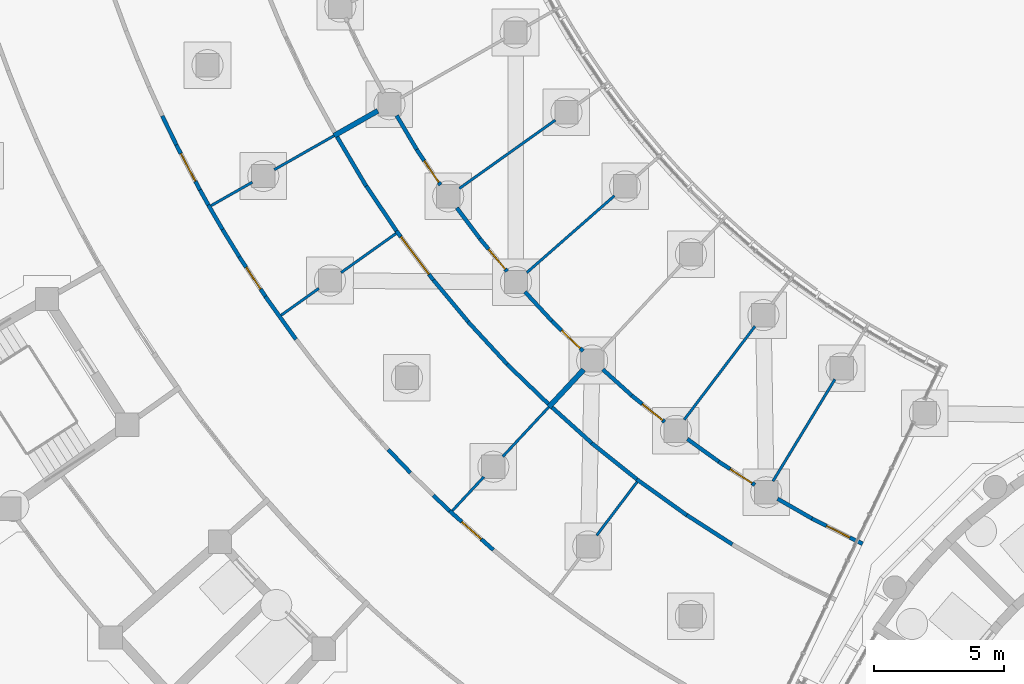
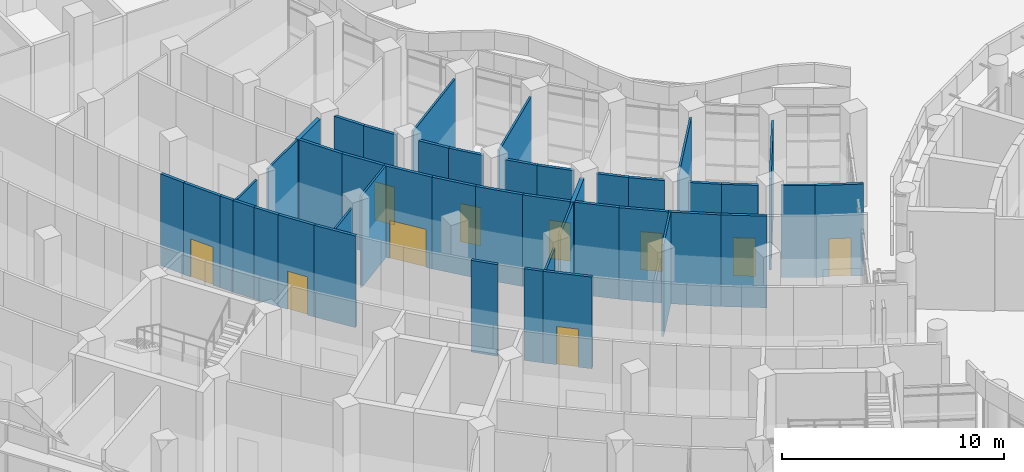
# One storey, part 67 of 146: 45 walls, 10 doors, 10 openings.
"""IFC4 building model written with IfcOpenShell, lengths in metres."""

from ifc_helpers import new_model, si_unit, direction, frame, frame_2d, origin, place, context, subcontext, project, spatial, rectangle, extrude, material, layer, layer_set, type_object, element, fill, save


model = new_model("IFC4")

# Units and contexts
model_context = context("Model", 3, precision=1e-05, world=origin(), true_north=direction((0.0, 1.0)))
body_context = subcontext(model_context, "Body", "Model", "MODEL_VIEW")
ifc_project = project(units=[si_unit("LENGTHUNIT", "METRE"), si_unit("AREAUNIT", "SQUARE_METRE"), si_unit("VOLUMEUNIT", "CUBIC_METRE"), si_unit("PLANEANGLEUNIT", "RADIAN"), si_unit("MASSUNIT", "GRAM", prefix="KILO")], contexts=[model_context])

# Site, building, storey
site_placement = place(None, origin())
site = spatial("IfcSite", under=ifc_project, at=site_placement, CompositionType="ELEMENT")
building_placement = place(site_placement, origin())
building = spatial("IfcBuilding", under=site, at=building_placement, Name="Bougainvillea Quay General Hospital", CompositionType="ELEMENT")
storey_placement = place(building_placement, origin())
storey = spatial("IfcBuildingStorey", under=building, at=storey_placement, Name="L00", CompositionType="ELEMENT", Elevation=0.0)

# Walls
ifc_material_1 = material(Name="Gypsum board partition on steel studs", Category="steel")
ifc_layer_1 = layer(ifc_material_1, 0.10009765625)
ifc_layer_set_1 = layer_set([ifc_layer_1], Name="Gypsum board partition on steel studs")
wall_type_1 = type_object("IfcWallType", Name="Partition 100 Gypsum board partition EI 30", PredefinedType="PARTITIONING", material=ifc_layer_set_1)
wall_1_placement = place(storey_placement, frame((84.418212890625, 93.260498046875, 0.0), z_axis=(0.0, 0.0, 1.0), x_axis=(0.603501117064, 0.797362152163, 0.0)))
element("IfcWall", 1, at=wall_1_placement, inside=storey, type_object=wall_type_1, Name="Partition 100 mm EI 30", PredefinedType="PARTITIONING", context=body_context, shape_type="SweptSolid", body=[
    extrude(rectangle(XDim=4.5224609375, YDim=0.10009765625, at=frame_2d((2.26123046875, 0.0))), origin(), (0.0, 0.0, 1.0), 5.050048828125),
])
wall_2_placement = place(storey_placement, frame((78.338134765625, 98.93310546875, 0.0), z_axis=(0.0, 0.0, 1.0), x_axis=(0.751823288541, 0.659364650863, 0.0)))
element("IfcWall", 2, at=wall_2_placement, inside=storey, type_object=wall_type_1, Name="Partition 100 mm EI 30", PredefinedType="PARTITIONING", context=body_context, shape_type="SweptSolid", body=[
    extrude(rectangle(XDim=4.49951171875, YDim=0.10009765625, at=frame_2d((2.249755859375, 0.0))), origin(), (0.0, 0.0, 1.0), 5.050048828125),
])
wall_3_placement = place(storey_placement, frame((87.83984375, 90.884521484375, 0.0), z_axis=(0.0, 0.0, 1.0), x_axis=(0.519618801015, 0.854398210223, 0.0)))
element("IfcWall", 3, at=wall_3_placement, inside=storey, type_object=wall_type_1, Name="Partition 100 mm EI 30", PredefinedType="PARTITIONING", context=body_context, shape_type="SweptSolid", body=[
    extrude(rectangle(XDim=4.60302734375, YDim=0.10009765625, at=frame_2d((2.301513671875, 0.0))), origin(), (0.0, 0.0, 1.0), 5.050048828125),
])
wall_4_placement = place(storey_placement, frame((75.736328125, 102.18310546875, 0.0), z_axis=(0.0, 0.0, 1.0), x_axis=(0.8147152487, 0.579861245072, 0.0)))
element("IfcWall", 4, at=wall_4_placement, inside=storey, type_object=wall_type_1, Name="Partition 100 mm EI 30", PredefinedType="PARTITIONING", context=body_context, shape_type="SweptSolid", body=[
    extrude(rectangle(XDim=4.548095703125, YDim=0.10009765625, at=frame_2d((2.27392578125, 0.0))), origin(), (0.0, 0.0, 1.0), 5.050048828125),
])
wall_5_placement = place(storey_placement, frame((66.152587890625, 101.518310546875, 0.0), z_axis=(0.0, 0.0, 1.0), x_axis=(0.869297970102, 0.494288416997, 0.0)))
element("IfcWall", 5, at=wall_5_placement, inside=storey, type_object=wall_type_1, Name="Partition 100 mm EI 30", PredefinedType="PARTITIONING", context=body_context, shape_type="SweptSolid", body=[
    extrude(rectangle(XDim=1.833984375, YDim=0.10009765625, at=frame_2d((0.9169921875, 0.0))), origin(), (0.0, 0.0, 1.0), 5.050048828125),
])
wall_6_placement = place(storey_placement, frame((68.59521484375, 102.907470703125, 0.0), z_axis=(0.0, 0.0, 1.0), x_axis=(0.869270757215, 0.494336272846, 0.0)))
element("IfcWall", 6, at=wall_6_placement, inside=storey, type_object=wall_type_1, Name="Partition 100 mm EI 30", PredefinedType="PARTITIONING", context=body_context, shape_type="SweptSolid", body=[
    extrude(rectangle(XDim=2.656005859375, YDim=0.10009765625, at=frame_2d((1.328125, 0.0))), origin(), (0.0, 0.0, 1.0), 5.050048828125),
])
wall_7_placement = place(storey_placement, frame((75.4677734375, 89.74560546875, 0.0), z_axis=(0.0, 0.0, 1.0), x_axis=(0.681143154038, 0.732150260334, 0.0)))
element("IfcWall", 7, at=wall_7_placement, inside=storey, type_object=wall_type_1, Name="Partition 100 mm EI 30", PredefinedType="PARTITIONING", context=body_context, shape_type="SweptSolid", body=[
    extrude(rectangle(XDim=1.785400390625, YDim=0.10009765625, at=frame_2d((0.892578125, 0.0))), origin(), (0.0, 0.0, 1.0), 5.050048828125),
])
wall_8_placement = place(storey_placement, frame((77.412109375, 91.83544921875, 0.0), z_axis=(0.0, 0.0, 1.0), x_axis=(0.681147107729, 0.732146582067, 0.0)))
element("IfcWall", 8, at=wall_8_placement, inside=storey, type_object=wall_type_1, Name="Partition 100 mm EI 30", PredefinedType="PARTITIONING", context=body_context, shape_type="SweptSolid", body=[
    extrude(rectangle(XDim=2.60888671875, YDim=0.10009765625, at=frame_2d((1.304443359375, 0.0))), origin(), (0.0, 0.0, 1.0), 5.050048828125),
])
wall_9_placement = place(storey_placement, frame((81.0380859375, 88.795654296875, 0.0), z_axis=(0.0, 0.0, 1.0), x_axis=(0.603561177332, 0.797316690668, 0.0)))
element("IfcWall", 9, at=wall_9_placement, inside=storey, type_object=wall_type_1, Name="Partition 100 mm EI 30", PredefinedType="PARTITIONING", context=body_context, shape_type="SweptSolid", body=[
    extrude(rectangle(XDim=2.58447265625, YDim=0.10009765625, at=frame_2d((1.292236328125, 0.0))), origin(), (0.0, 0.0, 1.0), 5.050048828125),
])
wall_10_placement = place(storey_placement, frame((68.860595703125, 97.2900390625, 0.0), z_axis=(0.0, 0.0, 1.0), x_axis=(0.814701484378, 0.5798805837, 0.0)))
element("IfcWall", 10, at=wall_10_placement, inside=storey, type_object=wall_type_1, Name="Partition 100 mm EI 30", PredefinedType="PARTITIONING", context=body_context, shape_type="SweptSolid", body=[
    extrude(rectangle(XDim=1.787109375, YDim=0.10009765625, at=frame_2d((0.8935546875, 0.0))), origin(), (0.0, 0.0, 1.0), 5.050048828125),
])
wall_11_placement = place(storey_placement, frame((71.17333984375, 98.936279296875, 0.0), z_axis=(0.0, 0.0, 1.0), x_axis=(0.814672160951, 0.579921779355, 0.0)))
element("IfcWall", 11, at=wall_11_placement, inside=storey, type_object=wall_type_1, Name="Partition 100 mm EI 30", PredefinedType="PARTITIONING", context=body_context, shape_type="SweptSolid", body=[
    extrude(rectangle(XDim=2.597900390625, YDim=0.10009765625, at=frame_2d((1.298828125, 0.0))), origin(), (0.0, 0.0, 1.0), 5.050048828125),
])

# Wall, opening, door
ifc_material_2 = material(Name="Gypsum board partition on steel studs, insulated", Category="steel")
ifc_layer_2 = layer(ifc_material_2, 0.14990234375)
ifc_layer_set_2 = layer_set([ifc_layer_2], Name="Gypsum board partition on steel studs, insulated")
wall_type_2 = type_object("IfcWallType", Name="Partition 150 Gypsum board partition EI 30", PredefinedType="PARTITIONING", material=ifc_layer_set_2)
wall_12_placement = place(storey_placement, frame((73.306884765625, 100.547119140625, 0.0), z_axis=(0.0, 0.0, 1.0), x_axis=(0.600377090661, -0.799717043091, 0.0)))
wall_12 = element("IfcWall", 12, at=wall_12_placement, inside=storey, type_object=wall_type_2, Name="Partition 150 mm EI 30", PredefinedType="PARTITIONING", context=body_context, shape_type="SweptSolid", body=[
    extrude(rectangle(XDim=2.382080078125, YDim=0.14990234375, at=frame_2d((1.19091796875, 0.0))), origin(), (0.0, 0.0, 1.0), 5.050048828125),
])
opening_1_placement = place(wall_12_placement, frame((0.291015625, 0.0, 0.0)))
opening_1 = element("IfcOpeningElement", 13, at=opening_1_placement, cuts=wall_12, Name="Opening L00.221", PredefinedType="OPENING", context=body_context, shape_type="SweptSolid", body=[
    extrude(rectangle(XDim=1.800048828125, YDim=2.10009765625, at=frame_2d((0.89990234375, 1.050048828125))), frame((0.0, 0.0849609375, 0.0), z_axis=(0.0, -1.0, 0.0), x_axis=(1.0, 0.0, 0.0)), (0.0, 0.0, 1.0), 0.169921875),
])
ifc_material_3 = material(Name="Solid-core timber door leaves in steel frame", Category="steel")
door_type_1 = type_object("IfcDoorType", Name="Double leaf door 1800x2100", OperationType="DOUBLE_DOOR_SINGLE_SWING", PredefinedType="DOOR", material=ifc_material_3)
door_1_placement = place(opening_1_placement, origin())
door_1 = element("IfcDoor", 14, at=door_1_placement, inside=storey, type_object=door_type_1, Name="DT08 L00.221", OperationType="DOUBLE_DOOR_SINGLE_SWING", OverallHeight=2.10009765625, OverallWidth=1.800048828125, PredefinedType="DOOR", context=body_context, shape_type="SweptSolid", body=[
    extrude(rectangle(XDim=1.800048828125, YDim=2.10009765625, at=frame_2d((0.89990234375, 1.050048828125))), frame((0.0, 0.02490234375, 0.0), z_axis=(0.0, -1.0, 0.0), x_axis=(1.0, 0.0, 0.0)), (0.0, 0.0, 1.0), 0.050048828125),
])
fill(opening_1, door_1)

# Walls
wall_13_placement = place(storey_placement, frame((82.5830078125, 90.960693359375, 0.0), z_axis=(0.0, 0.0, 1.0), x_axis=(0.812456963848, -0.583021167622, 0.0)))
element("IfcWall", 15, at=wall_13_placement, inside=storey, type_object=wall_type_2, Name="Partition 150 mm EI 30", PredefinedType="PARTITIONING", context=body_context, shape_type="SweptSolid", body=[
    extrude(rectangle(XDim=2.38134765625, YDim=0.14990234375, at=frame_2d((1.190673828125, 0.0))), origin(), (0.0, 0.0, 1.0), 5.050048828125),
])
wall_14_placement = place(storey_placement, frame((80.84130859375, 92.355712890625, 0.0), z_axis=(0.0, 0.0, 1.0), x_axis=(0.781561025488, -0.62382879337, 0.0)))
element("IfcWall", 16, at=wall_14_placement, inside=storey, type_object=wall_type_2, Name="Partition 150 mm EI 30", PredefinedType="PARTITIONING", context=body_context, shape_type="SweptSolid", body=[
    extrude(rectangle(XDim=2.235107421875, YDim=0.14990234375, at=frame_2d((1.11767578125, 0.0))), origin(), (0.0, 0.0, 1.0), 5.050048828125),
])
wall_15_placement = place(storey_placement, frame((77.5791015625, 95.39990234375, 0.0), z_axis=(0.0, 0.0, 1.0), x_axis=(0.720594722174, -0.693356507415, 0.0)))
element("IfcWall", 17, at=wall_15_placement, inside=storey, type_object=wall_type_2, Name="Partition 150 mm EI 30", PredefinedType="PARTITIONING", context=body_context, shape_type="SweptSolid", body=[
    extrude(rectangle(XDim=2.204833984375, YDim=0.14990234375, at=frame_2d((1.1025390625, 0.0))), origin(), (0.0, 0.0, 1.0), 5.050048828125),
])
wall_16_placement = place(storey_placement, frame((76.069091796875, 97.043212890625, 0.0), z_axis=(0.0, 0.0, 1.0), x_axis=(0.678030610295, -0.735033666918, 0.0)))
element("IfcWall", 18, at=wall_16_placement, inside=storey, type_object=wall_type_2, Name="Partition 150 mm EI 30", PredefinedType="PARTITIONING", context=body_context, shape_type="SweptSolid", body=[
    extrude(rectangle(XDim=2.235595703125, YDim=0.14990234375, at=frame_2d((1.11767578125, 0.0))), origin(), (0.0, 0.0, 1.0), 5.050048828125),
])
wall_17_placement = place(storey_placement, frame((71.021484375, 104.1708984375, 0.0), z_axis=(0.0, 0.0, 1.0), x_axis=(0.50873677225, -0.860922119916, 0.0)))
element("IfcWall", 19, at=wall_17_placement, inside=storey, type_object=wall_type_2, Name="Partition 150 mm EI 30", PredefinedType="PARTITIONING", context=body_context, shape_type="SweptSolid", body=[
    extrude(rectangle(XDim=2.205078125, YDim=0.14990234375, at=frame_2d((1.1025390625, 0.0))), origin(), (0.0, 0.0, 1.0), 5.050048828125),
])
wall_18_placement = place(storey_placement, frame((79.31640625, 93.7333984375, 0.0), z_axis=(0.0, 0.0, 1.0), x_axis=(0.74346507851, -0.668774758073, 0.0)))
element("IfcWall", 20, at=wall_18_placement, inside=storey, type_object=wall_type_2, Name="Partition 150 mm EI 30", PredefinedType="PARTITIONING", context=body_context, shape_type="SweptSolid", body=[
    extrude(rectangle(XDim=2.059326171875, YDim=0.14990234375, at=frame_2d((1.02978515625, 0.0))), origin(), (0.0, 0.0, 1.0), 5.050048828125),
])
wall_19_placement = place(storey_placement, frame((72.14453125, 102.2783203125, 0.0), z_axis=(0.0, 0.0, 1.0), x_axis=(0.558900636953, -0.829234633873, 0.0)))
element("IfcWall", 21, at=wall_19_placement, inside=storey, type_object=wall_type_2, Name="Partition 150 mm EI 30", PredefinedType="PARTITIONING", context=body_context, shape_type="SweptSolid", body=[
    extrude(rectangle(XDim=2.0888671875, YDim=0.14990234375, at=frame_2d((1.04443359375, 0.0))), origin(), (0.0, 0.0, 1.0), 5.050048828125),
])
wall_20_placement = place(storey_placement, frame((74.73779296875, 98.647216796875, 0.0), z_axis=(0.0, 0.0, 1.0), x_axis=(0.640000381719, -0.768374590548, 0.0)))
element("IfcWall", 22, at=wall_20_placement, inside=storey, type_object=wall_type_2, Name="Partition 150 mm EI 30", PredefinedType="PARTITIONING", context=body_context, shape_type="SweptSolid", body=[
    extrude(rectangle(XDim=2.088134765625, YDim=0.14990234375, at=frame_2d((1.0439453125, 0.0))), origin(), (0.0, 0.0, 1.0), 5.050048828125),
])
wall_21_placement = place(storey_placement, frame((84.51708984375, 89.577392578125, 0.0), z_axis=(0.0, 0.0, 1.0), x_axis=(0.840935250807, -0.541135753717, 0.0)))
element("IfcWall", 23, at=wall_21_placement, inside=storey, type_object=wall_type_2, Name="Partition 150 mm EI 30", PredefinedType="PARTITIONING", context=body_context, shape_type="SweptSolid", body=[
    extrude(rectangle(XDim=2.087890625, YDim=0.14990234375, at=frame_2d((1.0439453125, 0.0))), origin(), (0.0, 0.0, 1.0), 5.050048828125),
])

# Wall, opening, door
wall_22_placement = place(storey_placement, frame((75.360107421875, 89.739990234375, 0.0), z_axis=(0.0, 0.0, 1.0), x_axis=(0.746361982095, -0.665540225443, 0.0)))
wall_22 = element("IfcWall", 24, at=wall_22_placement, inside=storey, type_object=wall_type_2, Name="Partition 150 mm EI 30", PredefinedType="PARTITIONING", context=body_context, shape_type="SweptSolid", body=[
    extrude(rectangle(XDim=2.265625, YDim=0.14990234375, at=frame_2d((1.1328125, 0.0))), origin(), (0.0, 0.0, 1.0), 5.050048828125),
])
opening_2_placement = place(wall_22_placement, frame((0.6328125, 0.0, 0.0)))
opening_2 = element("IfcOpeningElement", 25, at=opening_2_placement, cuts=wall_22, Name="Opening L00.257", PredefinedType="OPENING", context=body_context, shape_type="SweptSolid", body=[
    extrude(rectangle(XDim=1.0, YDim=2.10009765625, at=frame_2d((0.5, 1.050048828125))), frame((0.0, 0.0849609375, 0.0), z_axis=(0.0, -1.0, 0.0), x_axis=(1.0, 0.0, 0.0)), (0.0, 0.0, 1.0), 0.169921875),
])
ifc_material_4 = material(Name="Solid-core timber door leaf in steel frame", Category="steel")
door_type_2 = type_object("IfcDoorType", Name="Single leaf door 1000x2100 FD30S", OperationType="NOTDEFINED", PredefinedType="DOOR", material=ifc_material_4)
door_2_placement = place(opening_2_placement, origin())
door_2 = element("IfcDoor", 26, at=door_2_placement, inside=storey, type_object=door_type_2, Name="DT15 L00.257", OperationType="SINGLE_SWING_LEFT", OverallHeight=2.10009765625, OverallWidth=1.0, PredefinedType="DOOR", context=body_context, shape_type="SweptSolid", body=[
    extrude(rectangle(XDim=1.0, YDim=2.10009765625, at=frame_2d((0.5, 1.050048828125))), frame((0.0, 0.02490234375, 0.0), z_axis=(0.0, -1.0, 0.0), x_axis=(1.0, 0.0, 0.0)), (0.0, 0.0, 1.0), 0.050048828125),
])
fill(opening_2, door_2)

wall_23_placement = place(storey_placement, frame((74.086181640625, 103.690185546875, 0.0), z_axis=(0.0, 0.0, 1.0), x_axis=(0.558985889655, -0.829177167538, 0.0)))
wall_23 = element("IfcWall", 27, at=wall_23_placement, inside=storey, type_object=wall_type_2, Name="Partition 150 mm EI 30", PredefinedType="PARTITIONING", context=body_context, shape_type="SweptSolid", body=[
    extrude(rectangle(XDim=1.653564453125, YDim=0.14990234375, at=frame_2d((0.82666015625, 0.0))), origin(), (0.0, 0.0, 1.0), 5.050048828125),
])
opening_3_placement = place(wall_23_placement, frame((0.5302734375, 0.0, 0.0)))
opening_3 = element("IfcOpeningElement", 28, at=opening_3_placement, cuts=wall_23, Name="Opening L00.264", PredefinedType="OPENING", context=body_context, shape_type="SweptSolid", body=[
    extrude(rectangle(XDim=1.0, YDim=2.10009765625, at=frame_2d((0.5, 1.050048828125))), frame((0.0, 0.0849609375, 0.0), z_axis=(0.0, -1.0, 0.0), x_axis=(1.0, 0.0, 0.0)), (0.0, 0.0, 1.0), 0.169921875),
])
door_3_placement = place(opening_3_placement, origin())
door_3 = element("IfcDoor", 29, at=door_3_placement, inside=storey, type_object=door_type_2, Name="DT15 L00.264", OperationType="SINGLE_SWING_RIGHT", OverallHeight=2.10009765625, OverallWidth=1.0, PredefinedType="DOOR", context=body_context, shape_type="SweptSolid", body=[
    extrude(rectangle(XDim=1.0, YDim=2.10009765625, at=frame_2d((0.5, 1.050048828125))), frame((0.0, 0.02490234375, 0.0), z_axis=(0.0, -1.0, 0.0), x_axis=(1.0, 0.0, 0.0)), (0.0, 0.0, 1.0), 0.050048828125),
])
fill(opening_3, door_3)

wall_24_placement = place(storey_placement, frame((82.384521484375, 94.19384765625, 0.0), z_axis=(0.0, 0.0, 1.0), x_axis=(0.781756052881, -0.623584375833, 0.0)))
wall_24 = element("IfcWall", 30, at=wall_24_placement, inside=storey, type_object=wall_type_2, Name="Partition 150 mm EI 30", PredefinedType="PARTITIONING", context=body_context, shape_type="SweptSolid", body=[
    extrude(rectangle(XDim=1.63623046875, YDim=0.14990234375, at=frame_2d((0.818115234375, 0.0))), origin(), (0.0, 0.0, 1.0), 5.050048828125),
])
opening_4_placement = place(wall_24_placement, frame((0.5302734375, 0.0, 0.0)))
opening_4 = element("IfcOpeningElement", 31, at=opening_4_placement, cuts=wall_24, Name="Opening L00.260", PredefinedType="OPENING", context=body_context, shape_type="SweptSolid", body=[
    extrude(rectangle(XDim=1.0, YDim=2.10009765625, at=frame_2d((0.5, 1.050048828125))), frame((0.0, 0.0849609375, 0.0), z_axis=(0.0, -1.0, 0.0), x_axis=(1.0, 0.0, 0.0)), (0.0, 0.0, 1.0), 0.169921875),
])
door_4_placement = place(opening_4_placement, origin())
door_4 = element("IfcDoor", 32, at=door_4_placement, inside=storey, type_object=door_type_2, Name="DT15 L00.260", OperationType="SINGLE_SWING_RIGHT", OverallHeight=2.10009765625, OverallWidth=1.0, PredefinedType="DOOR", context=body_context, shape_type="SweptSolid", body=[
    extrude(rectangle(XDim=1.0, YDim=2.10009765625, at=frame_2d((0.5, 1.050048828125))), frame((0.0, 0.02490234375, 0.0), z_axis=(0.0, -1.0, 0.0), x_axis=(1.0, 0.0, 0.0)), (0.0, 0.0, 1.0), 0.050048828125),
])
fill(opening_4, door_4)

wall_25_placement = place(storey_placement, frame((89.343017578125, 89.4423828125, 0.0), z_axis=(0.0, 0.0, 1.0), x_axis=(0.895274815557, -0.445514314731, 0.0)))
wall_25 = element("IfcWall", 33, at=wall_25_placement, inside=storey, type_object=wall_type_2, Name="Partition 150 mm EI 30", PredefinedType="PARTITIONING", context=body_context, shape_type="SweptSolid", body=[
    extrude(rectangle(XDim=2.184814453125, YDim=0.14990234375, at=frame_2d((1.09228515625, 0.0))), origin(), (0.0, 0.0, 1.0), 5.050048828125),
])
opening_5_placement = place(wall_25_placement, frame((0.6298828125, 0.0, 0.0)))
opening_5 = element("IfcOpeningElement", 34, at=opening_5_placement, cuts=wall_25, Name="Opening L00.258", PredefinedType="OPENING", context=body_context, shape_type="SweptSolid", body=[
    extrude(rectangle(XDim=1.0, YDim=2.10009765625, at=frame_2d((0.5, 1.050048828125))), frame((0.0, 0.0849609375, 0.0), z_axis=(0.0, -1.0, 0.0), x_axis=(1.0, 0.0, 0.0)), (0.0, 0.0, 1.0), 0.169921875),
])
door_5_placement = place(opening_5_placement, origin())
door_5 = element("IfcDoor", 35, at=door_5_placement, inside=storey, type_object=door_type_2, Name="DT15 L00.258", OperationType="SINGLE_SWING_RIGHT", OverallHeight=2.10009765625, OverallWidth=1.0, PredefinedType="DOOR", context=body_context, shape_type="SweptSolid", body=[
    extrude(rectangle(XDim=1.0, YDim=2.10009765625, at=frame_2d((0.5, 1.050048828125))), frame((0.0, 0.02490234375, 0.0), z_axis=(0.0, -1.0, 0.0), x_axis=(1.0, 0.0, 0.0)), (0.0, 0.0, 1.0), 0.050048828125),
])
fill(opening_5, door_5)

wall_26_placement = place(storey_placement, frame((85.743896484375, 91.6416015625, 0.0), z_axis=(0.0, 0.0, 1.0), x_axis=(0.840848932624, -0.54126987031, 0.0)))
wall_26 = element("IfcWall", 36, at=wall_26_placement, inside=storey, type_object=wall_type_2, Name="Partition 150 mm EI 30", PredefinedType="PARTITIONING", context=body_context, shape_type="SweptSolid", body=[
    extrude(rectangle(XDim=1.66162109375, YDim=0.14990234375, at=frame_2d((0.830810546875, 0.0))), origin(), (0.0, 0.0, 1.0), 5.050048828125),
])
opening_6_placement = place(wall_26_placement, frame((0.52978515625, 0.0, 0.0)))
opening_6 = element("IfcOpeningElement", 37, at=opening_6_placement, cuts=wall_26, Name="Opening L00.259", PredefinedType="OPENING", context=body_context, shape_type="SweptSolid", body=[
    extrude(rectangle(XDim=1.0, YDim=2.10009765625, at=frame_2d((0.5, 1.050048828125))), frame((0.0, 0.0849609375, 0.0), z_axis=(0.0, -1.0, 0.0), x_axis=(1.0, 0.0, 0.0)), (0.0, 0.0, 1.0), 0.169921875),
])
door_6_placement = place(opening_6_placement, origin())
door_6 = element("IfcDoor", 38, at=door_6_placement, inside=storey, type_object=door_type_2, Name="DT15 L00.259", OperationType="SINGLE_SWING_RIGHT", OverallHeight=2.10009765625, OverallWidth=1.0, PredefinedType="DOOR", context=body_context, shape_type="SweptSolid", body=[
    extrude(rectangle(XDim=1.0, YDim=2.10009765625, at=frame_2d((0.5, 1.050048828125))), frame((0.0, 0.02490234375, 0.0), z_axis=(0.0, -1.0, 0.0), x_axis=(1.0, 0.0, 0.0)), (0.0, 0.0, 1.0), 0.050048828125),
])
fill(opening_6, door_6)

wall_27_placement = place(storey_placement, frame((79.301025390625, 97.072021484375, 0.0), z_axis=(0.0, 0.0, 1.0), x_axis=(0.720465115712, -0.69349118022, 0.0)))
wall_27 = element("IfcWall", 39, at=wall_27_placement, inside=storey, type_object=wall_type_2, Name="Partition 150 mm EI 30", PredefinedType="PARTITIONING", context=body_context, shape_type="SweptSolid", body=[
    extrude(rectangle(XDim=1.68359375, YDim=0.14990234375, at=frame_2d((0.841796875, 0.0))), origin(), (0.0, 0.0, 1.0), 5.050048828125),
])
opening_7_placement = place(wall_27_placement, frame((0.52978515625, 0.0, 0.0)))
opening_7 = element("IfcOpeningElement", 40, at=opening_7_placement, cuts=wall_27, Name="Opening L00.262", PredefinedType="OPENING", context=body_context, shape_type="SweptSolid", body=[
    extrude(rectangle(XDim=1.0, YDim=2.10009765625, at=frame_2d((0.5, 1.050048828125))), frame((0.0, 0.0849609375, 0.0), z_axis=(0.0, -1.0, 0.0), x_axis=(1.0, 0.0, 0.0)), (0.0, 0.0, 1.0), 0.169921875),
])
door_7_placement = place(opening_7_placement, origin())
door_7 = element("IfcDoor", 41, at=door_7_placement, inside=storey, type_object=door_type_2, Name="DT15 L00.262", OperationType="SINGLE_SWING_RIGHT", OverallHeight=2.10009765625, OverallWidth=1.0, PredefinedType="DOOR", context=body_context, shape_type="SweptSolid", body=[
    extrude(rectangle(XDim=1.0, YDim=2.10009765625, at=frame_2d((0.5, 1.050048828125))), frame((0.0, 0.02490234375, 0.0), z_axis=(0.0, -1.0, 0.0), x_axis=(1.0, 0.0, 0.0)), (0.0, 0.0, 1.0), 0.050048828125),
])
fill(opening_7, door_7)

# Walls
wall_28_placement = place(storey_placement, frame((84.535888671875, 92.51318359375, 0.0), z_axis=(0.0, 0.0, 1.0), x_axis=(0.81243891359, -0.583046320359, 0.0)))
element("IfcWall", 42, at=wall_28_placement, inside=storey, type_object=wall_type_2, Name="Partition 150 mm EI 30", PredefinedType="PARTITIONING", context=body_context, shape_type="SweptSolid", body=[
    extrude(rectangle(XDim=1.4931640625, YDim=0.14990234375, at=frame_2d((0.74658203125, 0.0))), origin(), (0.0, 0.0, 1.0), 5.050048828125),
])
wall_29_placement = place(storey_placement, frame((78.27001953125, 98.1953125, 0.0), z_axis=(0.0, 0.0, 1.0), x_axis=(0.678273469528, -0.73480956753, 0.0)))
element("IfcWall", 43, at=wall_29_placement, inside=storey, type_object=wall_type_2, Name="Partition 150 mm EI 30", PredefinedType="PARTITIONING", context=body_context, shape_type="SweptSolid", body=[
    extrude(rectangle(XDim=1.528564453125, YDim=0.14990234375, at=frame_2d((0.76416015625, 0.0))), origin(), (0.0, 0.0, 1.0), 5.050048828125),
])

# Wall, opening, door
wall_30_placement = place(storey_placement, frame((76.52587890625, 100.24853515625, 0.0), z_axis=(0.0, 0.0, 1.0), x_axis=(0.640038659854, -0.768342706019, 0.0)))
wall_30 = element("IfcWall", 44, at=wall_30_placement, inside=storey, type_object=wall_type_2, Name="Partition 150 mm EI 30", PredefinedType="PARTITIONING", context=body_context, shape_type="SweptSolid", body=[
    extrude(rectangle(XDim=1.64794921875, YDim=0.14990234375, at=frame_2d((0.823974609375, 0.0))), origin(), (0.0, 0.0, 1.0), 5.050048828125),
])
opening_8_placement = place(wall_30_placement, frame((0.52978515625, 0.0, 0.0)))
opening_8 = element("IfcOpeningElement", 45, at=opening_8_placement, cuts=wall_30, Name="Opening L00.263", PredefinedType="OPENING", context=body_context, shape_type="SweptSolid", body=[
    extrude(rectangle(XDim=1.0, YDim=2.10009765625, at=frame_2d((0.5, 1.050048828125))), frame((0.0, 0.0849609375, 0.0), z_axis=(0.0, -1.0, 0.0), x_axis=(1.0, 0.0, 0.0)), (0.0, 0.0, 1.0), 0.169921875),
])
door_8_placement = place(opening_8_placement, origin())
door_8 = element("IfcDoor", 46, at=door_8_placement, inside=storey, type_object=door_type_2, Name="DT15 L00.263", OperationType="SINGLE_SWING_RIGHT", OverallHeight=2.10009765625, OverallWidth=1.0, PredefinedType="DOOR", context=body_context, shape_type="SweptSolid", body=[
    extrude(rectangle(XDim=1.0, YDim=2.10009765625, at=frame_2d((0.5, 1.050048828125))), frame((0.0, 0.02490234375, 0.0), z_axis=(0.0, -1.0, 0.0), x_axis=(1.0, 0.0, 0.0)), (0.0, 0.0, 1.0), 0.050048828125),
])
fill(opening_8, door_8)

# Walls
wall_31_placement = place(storey_placement, frame((73.3193359375, 104.99658203125, 0.0), z_axis=(0.0, 0.0, 1.0), x_axis=(0.508740142918, -0.86092012811, 0.0)))
element("IfcWall", 47, at=wall_31_placement, inside=storey, type_object=wall_type_2, Name="Partition 150 mm EI 30", PredefinedType="PARTITIONING", context=body_context, shape_type="SweptSolid", body=[
    extrude(rectangle(XDim=1.518798828125, YDim=0.14990234375, at=frame_2d((0.75927734375, 0.0))), origin(), (0.0, 0.0, 1.0), 5.050048828125),
])
wall_32_placement = place(storey_placement, frame((75.641357421875, 101.433837890625, 0.0), z_axis=(0.0, 0.0, 1.0), x_axis=(0.60023710435, -0.799822116825, 0.0)))
element("IfcWall", 48, at=wall_32_placement, inside=storey, type_object=wall_type_2, Name="Partition 150 mm EI 30", PredefinedType="PARTITIONING", context=body_context, shape_type="SweptSolid", body=[
    extrude(rectangle(XDim=1.482666015625, YDim=0.14990234375, at=frame_2d((0.7412109375, 0.0))), origin(), (0.0, 0.0, 1.0), 5.050048828125),
])
wall_33_placement = place(storey_placement, frame((88.017578125, 90.20849609375, 0.0), z_axis=(0.0, 0.0, 1.0), x_axis=(0.867174234795, -0.498004865947, 0.0)))
element("IfcWall", 49, at=wall_33_placement, inside=storey, type_object=wall_type_2, Name="Partition 150 mm EI 30", PredefinedType="PARTITIONING", context=body_context, shape_type="SweptSolid", body=[
    extrude(rectangle(XDim=1.534912109375, YDim=0.14990234375, at=frame_2d((0.767578125, 0.0))), origin(), (0.0, 0.0, 1.0), 5.050048828125),
])
wall_34_placement = place(storey_placement, frame((81.2734375, 95.19873046875, 0.0), z_axis=(0.0, 0.0, 1.0), x_axis=(0.743576936712, -0.668650386368, 0.0)))
element("IfcWall", 50, at=wall_34_placement, inside=storey, type_object=wall_type_2, Name="Partition 150 mm EI 30", PredefinedType="PARTITIONING", context=body_context, shape_type="SweptSolid", body=[
    extrude(rectangle(XDim=1.502197265625, YDim=0.14990234375, at=frame_2d((0.7509765625, 0.0))), origin(), (0.0, 0.0, 1.0), 5.050048828125),
])
wall_35_placement = place(storey_placement, frame((68.247314453125, 98.02001953125, 0.0), z_axis=(0.0, 0.0, 1.0), x_axis=(0.580842026392, -0.81401630228, 0.0)))
element("IfcWall", 51, at=wall_35_placement, inside=storey, type_object=wall_type_2, Name="Partition 150 mm EI 30", PredefinedType="PARTITIONING", context=body_context, shape_type="SweptSolid", body=[
    extrude(rectangle(XDim=2.040771484375, YDim=0.14990234375, at=frame_2d((1.0205078125, 0.0))), origin(), (0.0, 0.0, 1.0), 5.050048828125),
])

# Wall, opening, door
wall_36_placement = place(storey_placement, frame((67.24365234375, 99.546630859375, 0.0), z_axis=(0.0, 0.0, 1.0), x_axis=(0.550660027371, -0.834729617454, 0.0)))
wall_36 = element("IfcWall", 52, at=wall_36_placement, inside=storey, type_object=wall_type_2, Name="Partition 150 mm EI 30", PredefinedType="PARTITIONING", context=body_context, shape_type="SweptSolid", body=[
    extrude(rectangle(XDim=1.829833984375, YDim=0.14990234375, at=frame_2d((0.9150390625, 0.0))), origin(), (0.0, 0.0, 1.0), 5.050048828125),
])
opening_9_placement = place(wall_36_placement, frame((0.488525390625, 0.0, 0.0)))
opening_9 = element("IfcOpeningElement", 53, at=opening_9_placement, cuts=wall_36, Name="Opening L00.261", PredefinedType="OPENING", context=body_context, shape_type="SweptSolid", body=[
    extrude(rectangle(XDim=1.0, YDim=2.10009765625, at=frame_2d((0.5, 1.050048828125))), frame((0.0, 0.0849609375, 0.0), z_axis=(0.0, -1.0, 0.0), x_axis=(1.0, 0.0, 0.0)), (0.0, 0.0, 1.0), 0.169921875),
])
door_9_placement = place(opening_9_placement, origin())
door_9 = element("IfcDoor", 54, at=door_9_placement, inside=storey, type_object=door_type_2, Name="DT15 L00.261", OperationType="SINGLE_SWING_RIGHT", OverallHeight=2.10009765625, OverallWidth=1.0, PredefinedType="DOOR", context=body_context, shape_type="SweptSolid", body=[
    extrude(rectangle(XDim=1.0, YDim=2.10009765625, at=frame_2d((0.5, 1.050048828125))), frame((0.0, 0.02490234375, 0.0), z_axis=(0.0, -1.0, 0.0), x_axis=(1.0, 0.0, 0.0)), (0.0, 0.0, 1.0), 0.050048828125),
])
fill(opening_9, door_9)

wall_37_placement = place(storey_placement, frame((64.81298828125, 103.865478515625, 0.0), z_axis=(0.0, 0.0, 1.0), x_axis=(0.464962924249, -0.885330152584, 0.0)))
wall_37 = element("IfcWall", 55, at=wall_37_placement, inside=storey, type_object=wall_type_2, Name="Partition 150 mm EI 30", PredefinedType="PARTITIONING", context=body_context, shape_type="SweptSolid", body=[
    extrude(rectangle(XDim=1.96533203125, YDim=0.14990234375, at=frame_2d((0.982666015625, 0.0))), origin(), (0.0, 0.0, 1.0), 5.050048828125),
])
opening_10_placement = place(wall_37_placement, frame((0.382568359375, 0.0, 0.0)))
opening_10 = element("IfcOpeningElement", 56, at=opening_10_placement, cuts=wall_37, Name="Opening L00.236", PredefinedType="OPENING", context=body_context, shape_type="SweptSolid", body=[
    extrude(rectangle(XDim=1.199951171875, YDim=2.10009765625, at=frame_2d((0.60009765625, 1.050048828125))), frame((0.0, 0.0849609375, 0.0), z_axis=(0.0, -1.0, 0.0), x_axis=(1.0, 0.0, 0.0)), (0.0, 0.0, 1.0), 0.169921875),
])
door_type_3 = type_object("IfcDoorType", Name="Single leaf door 1200x2100", OperationType="NOTDEFINED", PredefinedType="DOOR", material=ifc_material_4)
door_10_placement = place(opening_10_placement, frame((1.199951171875, 0.0, 0.0), z_axis=(0.0, 0.0, 1.0), x_axis=(-1.0, 0.0, 0.0)))
door_10 = element("IfcDoor", 57, at=door_10_placement, inside=storey, type_object=door_type_3, Name="DT13 L00.236", OperationType="SINGLE_SWING_LEFT", OverallHeight=2.10009765625, OverallWidth=1.199951171875, PredefinedType="DOOR", context=body_context, shape_type="SweptSolid", body=[
    extrude(rectangle(XDim=1.199951171875, YDim=2.10009765625, at=frame_2d((0.60009765625, 1.050048828125))), frame((0.0, 0.02490234375, 0.0), z_axis=(0.0, -1.0, 0.0), x_axis=(1.0, 0.0, 0.0)), (0.0, 0.0, 1.0), 0.050048828125),
])
fill(opening_10, door_10)

# Walls
wall_38_placement = place(storey_placement, frame((66.595703125, 100.60400390625, 0.0), z_axis=(0.0, 0.0, 1.0), x_axis=(0.524086461663, -0.851665063685, 0.0)))
element("IfcWall", 58, at=wall_38_placement, inside=storey, type_object=wall_type_2, Name="Partition 150 mm EI 30", PredefinedType="PARTITIONING", context=body_context, shape_type="SweptSolid", body=[
    extrude(rectangle(XDim=1.242431640625, YDim=0.14990234375, at=frame_2d((0.62109375, 0.0))), origin(), (0.0, 0.0, 1.0), 5.050048828125),
])
wall_39_placement = place(storey_placement, frame((72.9921875, 92.1064453125, 0.0), z_axis=(0.0, 0.0, 1.0), x_axis=(0.691209259047, -0.72265466179, 0.0)))
element("IfcWall", 59, at=wall_39_placement, inside=storey, type_object=wall_type_2, Name="Partition 150 mm EI 30", PredefinedType="PARTITIONING", context=body_context, shape_type="SweptSolid", body=[
    extrude(rectangle(XDim=1.2421875, YDim=0.14990234375, at=frame_2d((0.62109375, 0.0))), origin(), (0.0, 0.0, 1.0), 5.050048828125),
])
wall_40_placement = place(storey_placement, frame((64.2744140625, 104.9814453125, 0.0), z_axis=(0.0, 0.0, 1.0), x_axis=(0.436562976118, -0.899673700784, 0.0)))
element("IfcWall", 60, at=wall_40_placement, inside=storey, type_object=wall_type_2, Name="Partition 150 mm EI 30", PredefinedType="PARTITIONING", context=body_context, shape_type="SweptSolid", body=[
    extrude(rectangle(XDim=1.241455078125, YDim=0.14990234375, at=frame_2d((0.62060546875, 0.0))), origin(), (0.0, 0.0, 1.0), 5.050048828125),
])
wall_41_placement = place(storey_placement, frame((66.04931640625, 101.5458984375, 0.0), z_axis=(0.0, 0.0, 1.0), x_axis=(0.503161106297, -0.864192629632, 0.0)))
element("IfcWall", 61, at=wall_41_placement, inside=storey, type_object=wall_type_2, Name="Partition 150 mm EI 30", PredefinedType="PARTITIONING", context=body_context, shape_type="SweptSolid", body=[
    extrude(rectangle(XDim=1.0908203125, YDim=0.14990234375, at=frame_2d((0.54541015625, 0.0))), origin(), (0.0, 0.0, 1.0), 5.050048828125),
])
wall_42_placement = place(storey_placement, frame((74.731201171875, 90.338623046875, 0.0), z_axis=(0.0, 0.0, 1.0), x_axis=(0.725923200466, -0.687775767984, 0.0)))
element("IfcWall", 62, at=wall_42_placement, inside=storey, type_object=wall_type_2, Name="Partition 150 mm EI 30", PredefinedType="PARTITIONING", context=body_context, shape_type="SweptSolid", body=[
    extrude(rectangle(XDim=0.870361328125, YDim=0.14990234375, at=frame_2d((0.43505859375, 0.0))), origin(), (0.0, 0.0, 1.0), 5.050048828125),
])
wall_43_placement = place(storey_placement, frame((65.7275390625, 102.1279296875, 0.0), z_axis=(0.0, 0.0, 1.0), x_axis=(0.48582985227, -0.874053404915, 0.0)))
element("IfcWall", 63, at=wall_43_placement, inside=storey, type_object=wall_type_2, Name="Partition 150 mm EI 30", PredefinedType="PARTITIONING", context=body_context, shape_type="SweptSolid", body=[
    extrude(rectangle(XDim=0.665283203125, YDim=0.14990234375, at=frame_2d((0.33251953125, 0.0))), origin(), (0.0, 0.0, 1.0), 5.050048828125),
])
ifc_material_5 = material(Name="Fire-rated autoclaved aerated block wall, plastered")
ifc_layer_3 = layer(ifc_material_5, 0.199951171875)
ifc_layer_set_3 = layer_set([ifc_layer_3], Name="Fire-rated autoclaved aerated block wall, plastered")
wall_type_3 = type_object("IfcWallType", Name="Partition 200 Fire-rated autoclaved aerated block wall EI 120", PredefinedType="SOLIDWALL", material=ifc_layer_set_3)
wall_44_placement = place(storey_placement, frame((70.90478515625, 104.220947265625, 0.0), z_axis=(0.0, 0.0, 1.0), x_axis=(0.869256176146, 0.494361912198, 0.0)))
element("IfcWall", 64, at=wall_44_placement, inside=storey, type_object=wall_type_3, Name="Partition 200 mm EI 120", PredefinedType="SOLIDWALL", context=body_context, shape_type="SweptSolid", body=[
    extrude(rectangle(XDim=1.939453125, YDim=0.199951171875, at=frame_2d((0.9697265625, 0.0))), origin(), (0.0, 0.0, 1.0), 5.050048828125),
])
wall_45_placement = place(storey_placement, frame((79.18994140625, 93.74609375, 0.0), z_axis=(0.0, 0.0, 1.0), x_axis=(0.681171780306, 0.732123627344, 0.0)))
element("IfcWall", 65, at=wall_45_placement, inside=storey, type_object=wall_type_3, Name="Partition 200 mm EI 120", PredefinedType="SOLIDWALL", context=body_context, shape_type="SweptSolid", body=[
    extrude(rectangle(XDim=1.97412109375, YDim=0.199951171875, at=frame_2d((0.987060546875, 0.0))), origin(), (0.0, 0.0, 1.0), 5.050048828125),
])

save(model, "model.ifc")
